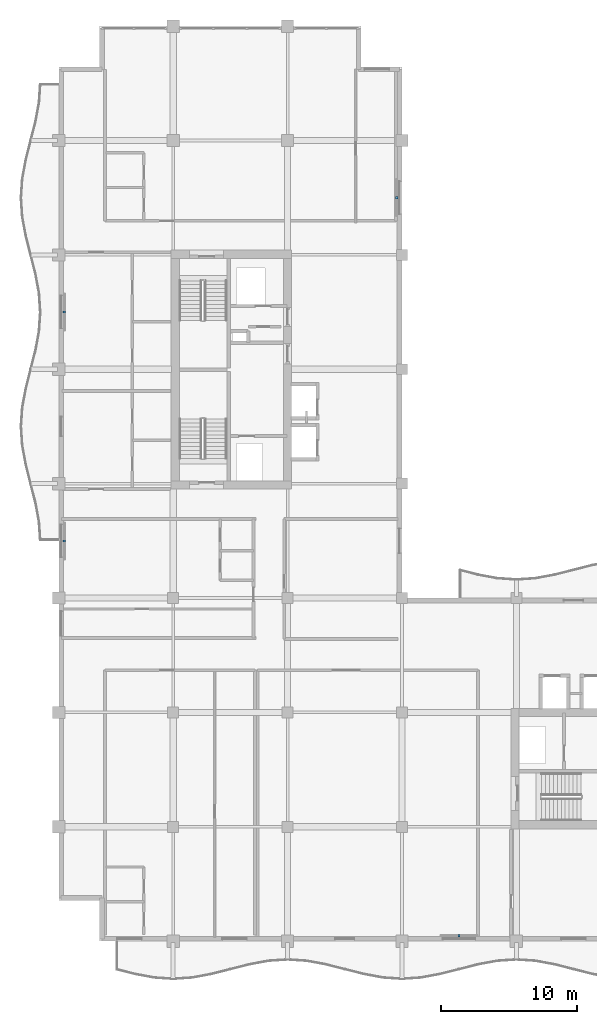
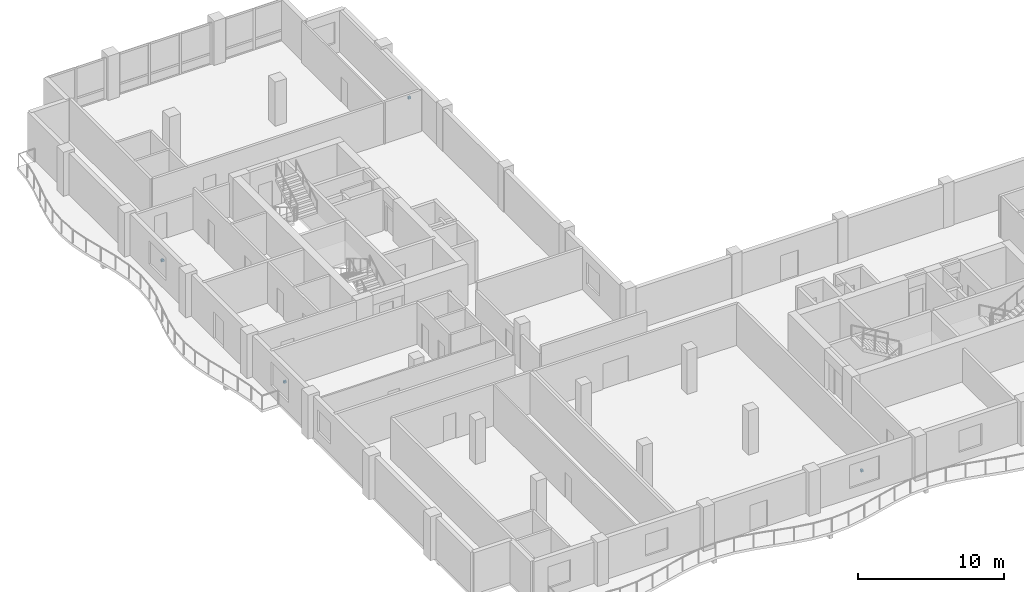
# One storey, part 12 of 16: 4 discrete accessories.
"""IFC4 building model written with IfcOpenShell, lengths in metres."""

import ifcopenshell
import ifcopenshell.guid

model = None  # the IFC model being written
_history = None  # IfcOwnerHistory: only IFC2X3 demands one
_inside = {}  # id of a spatial element -> (the spatial element, [elements in it])
_under = {}  # id of a project, library or spatial element -> (it, [spatial elements below it])
_declared = {}  # id of a project -> (the project, [libraries it declares])
_typed = {}  # id of a type object -> (the type object, [elements of that type])
_made_of = {}  # id of a material, layer set ... -> (it, [elements and type objects made of it])


def new_model(schema):
    """Start an empty IFC model of exactly this schema.

    Asked for "IFC4X3", IfcOpenShell would pick the latest addendum, in which some entities
    have other attributes; the version numbers below select the first issue.
    IFC2X3 requires an IfcOwnerHistory on every rooted entity: one is made here for all.
    """
    global model, _history
    if schema == "IFC4X3":
        model = ifcopenshell.file(schema_version=(4, 3, 0, 0))
    else:
        model = ifcopenshell.file(schema=schema)
    _inside.clear()
    _under.clear()
    _declared.clear()
    _typed.clear()
    _made_of.clear()
    _history = None
    if model.schema == "IFC2X3":
        org = make("IfcOrganization", Name="unknown")
        user = make(
            "IfcPersonAndOrganization",
            ThePerson=make("IfcPerson", FamilyName="unknown"),
            TheOrganization=org,
        )
        app = make(
            "IfcApplication",
            ApplicationDeveloper=org,
            Version="unknown",
            ApplicationFullName="unknown",
            ApplicationIdentifier="unknown",
        )
        _history = make(
            "IfcOwnerHistory",
            OwningUser=user,
            OwningApplication=app,
            ChangeAction="ADDED",
            CreationDate=0,
        )
    return model


def make(cls, **values):
    """One entity of the class cls with the attributes given. An attribute that is None is left unset."""
    return model.create_entity(
        cls, **{name: value for name, value in values.items() if value is not None}
    )


def rooted(cls, **values):
    """An entity with a GlobalId (a new one), such as an element, a storey or a relation."""
    return make(cls, GlobalId=ifcopenshell.guid.new(), OwnerHistory=_history, **values)


def si_unit(unit_type, name, prefix=None):
    """IfcSIUnit, for example si_unit("LENGTHUNIT", "METRE", prefix="MILLI")."""
    return make("IfcSIUnit", UnitType=unit_type, Prefix=prefix, Name=name)


def assignment(units):
    """IfcUnitAssignment: the units of a project."""
    return None if units is None else make("IfcUnitAssignment", Units=units)


def point(xyz):
    """IfcCartesianPoint."""
    return None if xyz is None else make("IfcCartesianPoint", Coordinates=xyz)


def direction(xyz):
    """IfcDirection."""
    return None if xyz is None else make("IfcDirection", DirectionRatios=xyz)


def frame(location, z_axis=None, x_axis=None):
    """IfcAxis2Placement3D, a coordinate frame: its origin and axes. An axis left out is left unset."""
    return make(
        "IfcAxis2Placement3D",
        Location=point(location),
        Axis=direction(z_axis),
        RefDirection=direction(x_axis),
    )


def frame_2d(location, x_axis=None):
    """IfcAxis2Placement2D, a coordinate frame in the plane: its origin and x axis."""
    return make(
        "IfcAxis2Placement2D", Location=point(location), RefDirection=direction(x_axis)
    )


def origin():
    """The frame at (0, 0, 0) with its axes left unset."""
    return frame((0.0, 0.0, 0.0))


def origin_2d():
    """The frame at (0, 0) in the plane with its x axis left unset."""
    return frame_2d((0.0, 0.0))


def place(relative_to, where):
    """IfcLocalPlacement: puts the frame where relative to a parent placement (None: the world)."""
    return make(
        "IfcLocalPlacement", PlacementRelTo=relative_to, RelativePlacement=where
    )


def context(
    kind, dimensions, precision=None, world=None, true_north=None, identifier=None
):
    """IfcGeometricRepresentationContext, for example the 3D "Model" context."""
    return make(
        "IfcGeometricRepresentationContext",
        ContextIdentifier=identifier,
        ContextType=kind,
        CoordinateSpaceDimension=dimensions,
        Precision=precision,
        WorldCoordinateSystem=world,
        TrueNorth=true_north,
    )


def subcontext(parent, identifier, kind, view, scale=None):
    """IfcGeometricRepresentationSubContext, for example "Body" below "Model"."""
    return make(
        "IfcGeometricRepresentationSubContext",
        ContextIdentifier=identifier,
        ContextType=kind,
        ParentContext=parent,
        TargetScale=scale,
        TargetView=view,
    )


def project(units=None, contexts=None):
    """IfcProject with its units and contexts."""
    return rooted(
        "IfcProject",
        Name="project",
        RepresentationContexts=contexts,
        UnitsInContext=assignment(units),
    )


def spatial(cls, under=None, at=None, **own):
    """A site, building, storey or space (cls), placed at a placement, below another one or the project."""
    s = rooted(cls, ObjectPlacement=at, **own)
    if under is not None:
        _under.setdefault(under.id(), (under, []))[1].append(s)
    return s


def profile(cls, at=None, kind="AREA", **sizes):
    """A parametric profile (cls). Its sizes go by their IFC names, for example OverallWidth=200.0."""
    return make(cls, ProfileType=kind, Position=at, **sizes)


def rectangle(**sizes):
    """IfcRectangleProfileDef."""
    return profile("IfcRectangleProfileDef", **sizes)


def extrude(swept, where, along, depth):
    """IfcExtrudedAreaSolid: the profile swept, set in the frame where, extruded along a direction by depth."""
    return make(
        "IfcExtrudedAreaSolid",
        SweptArea=swept,
        Position=where,
        ExtrudedDirection=direction(along),
        Depth=depth,
    )


def shape(context_of_items, identifier, shape_type, items):
    """IfcShapeRepresentation: the items that make up one representation, for example the "Body"."""
    return make(
        "IfcShapeRepresentation",
        ContextOfItems=context_of_items,
        RepresentationIdentifier=identifier,
        RepresentationType=shape_type,
        Items=items,
    )


def material(Name=None, Category=None):
    """IfcMaterial."""
    return make("IfcMaterial", Name=Name, Category=Category)


def made_of(thing, what):
    """Note that an element or type object is made of a material, layer set ...; save() writes the relation."""
    if what is not None:
        _made_of.setdefault(what.id(), (what, []))[1].append(thing)
    return thing


def type_object(cls, material=None, **own):
    """A type object (cls), such as IfcWallType, which elements share."""
    return made_of(rooted(cls, **own), material)


def element(
    cls,
    number,
    at=None,
    inside=None,
    cuts=None,
    type_object=None,
    material=None,
    context=None,
    identifier="Body",
    shape_type=None,
    held_by="IfcProductDefinitionShape",
    body=None,
    shapes=None,
    **own,
):
    """One element of the class cls, such as IfcWall. Its Tag is "e" and its number.

    at: its placement. inside: the storey or other place that contains it. cuts: it is an
    opening in that element (IfcRelVoidsElement). A single representation is given by context,
    identifier, shape_type and body (its items); several are given by shapes. held_by: the class
    of the entity that holds the representations. save() writes the other relations.
    """
    e = rooted(cls, Tag="e%d" % number, ObjectPlacement=at, **own)
    if body is not None:
        shapes = [shape(context, identifier, shape_type, body)]
    if shapes is not None:
        e.Representation = make(held_by, Representations=shapes)
    if inside is not None:
        _inside.setdefault(inside.id(), (inside, []))[1].append(e)
    if cuts is not None:
        rooted(
            "IfcRelVoidsElement", RelatingBuildingElement=cuts, RelatedOpeningElement=e
        )
    if type_object is not None:
        _typed.setdefault(type_object.id(), (type_object, []))[1].append(e)
    return made_of(e, material)


def aggregate(whole, parts):
    """IfcRelAggregates: a whole, such as a stair, and the parts it consists of."""
    return rooted("IfcRelAggregates", RelatingObject=whole, RelatedObjects=parts)


def save(model, path):
    """Write the relations noted so far, then the file.

    IfcRelAggregates (storeys below a building ...), IfcRelContainedInSpatialStructure (elements
    in a storey), IfcRelDefinesByType, IfcRelAssociatesMaterial and IfcRelDeclares: one each for
    every whole, place, type object, material and project.
    """
    for whole, parts in _under.values():
        aggregate(whole, parts)
    for where, things in _inside.values():
        rooted(
            "IfcRelContainedInSpatialStructure",
            RelatedElements=things,
            RelatingStructure=where,
        )
    for kind, things in _typed.values():
        rooted("IfcRelDefinesByType", RelatedObjects=things, RelatingType=kind)
    for what, things in _made_of.values():
        rooted("IfcRelAssociatesMaterial", RelatedObjects=things, RelatingMaterial=what)
    for by, libraries in _declared.values():
        rooted("IfcRelDeclares", RelatingContext=by, RelatedDefinitions=libraries)
    model.write(path)


model = new_model("IFC4")

# Units and contexts
model_context = context("Model", 3, precision=1e-05, world=origin(), true_north=direction((0.0, 1.0)))
body_context = subcontext(model_context, "Body", "Model", "MODEL_VIEW")
ifc_project = project(units=[si_unit("LENGTHUNIT", "METRE"), si_unit("AREAUNIT", "SQUARE_METRE"), si_unit("VOLUMEUNIT", "CUBIC_METRE"), si_unit("PLANEANGLEUNIT", "RADIAN"), si_unit("MASSUNIT", "GRAM", prefix="KILO")], contexts=[model_context])

# Site, building, storey
site_placement = place(None, origin())
site = spatial("IfcSite", under=ifc_project, at=site_placement, CompositionType="ELEMENT")
building_placement = place(site_placement, origin())
building = spatial("IfcBuilding", under=site, at=building_placement, Name="Koriwani Terraces Tower", CompositionType="ELEMENT")
storey_placement = place(building_placement, frame((0.0, 0.0, 267.5)))
storey = spatial("IfcBuildingStorey", under=building, at=storey_placement, Name="L66", CompositionType="ELEMENT", Elevation=267.5)

# Discrete accessories
ifc_material = material(Name="Steel ASTM A572 Grade 50", Category="steel")
discrete_accessory_type = type_object("IfcDiscreteAccessoryType", Name="BAGUETTE_STANDOFF_BRACKET", PredefinedType="BRACKET", material=ifc_material)
for number, where, z_axis, x_axis, name in (
    (1, (8.7900390625, 37.800048828125, 1.64501953125), (0.0, 0.0, 1.0), (0.0, 1.0, 0.0), "L66 Terracotta Baguette Bracket (W-9)"),
    (2, (8.7900390625, 54.60009765625, 1.64501953125), (0.0, 0.0, 1.0), (0.0, 1.0, 0.0), "L66 Terracotta Baguette Bracket (W-15)"),
    (3, (33.2099609375, 63.0, 1.64501953125), (0.0, 0.0, 1.0), (0.0, -1.0, 0.0), "L66 Terracotta Baguette Bracket (NW_IN-11)"),
    (4, (37.800048828125, 8.7900390625, 1.64501953125), (0.0, 0.0, 1.0), (-1.0, 0.0, 0.0), "L66 Terracotta Baguette Bracket (S-9)"),
):
    element("IfcDiscreteAccessory", number, at=place(storey_placement, frame(where, z_axis=z_axis, x_axis=x_axis)), inside=storey, type_object=discrete_accessory_type, Name=name, PredefinedType="BRACKET", context=body_context, shape_type="SweptSolid", body=[
        extrude(rectangle(XDim=0.159912109375, YDim=0.199951171875, at=origin_2d()), origin(), (0.0, 0.0, 1.0), 0.179931640625),
    ])

save(model, "model.ifc")
